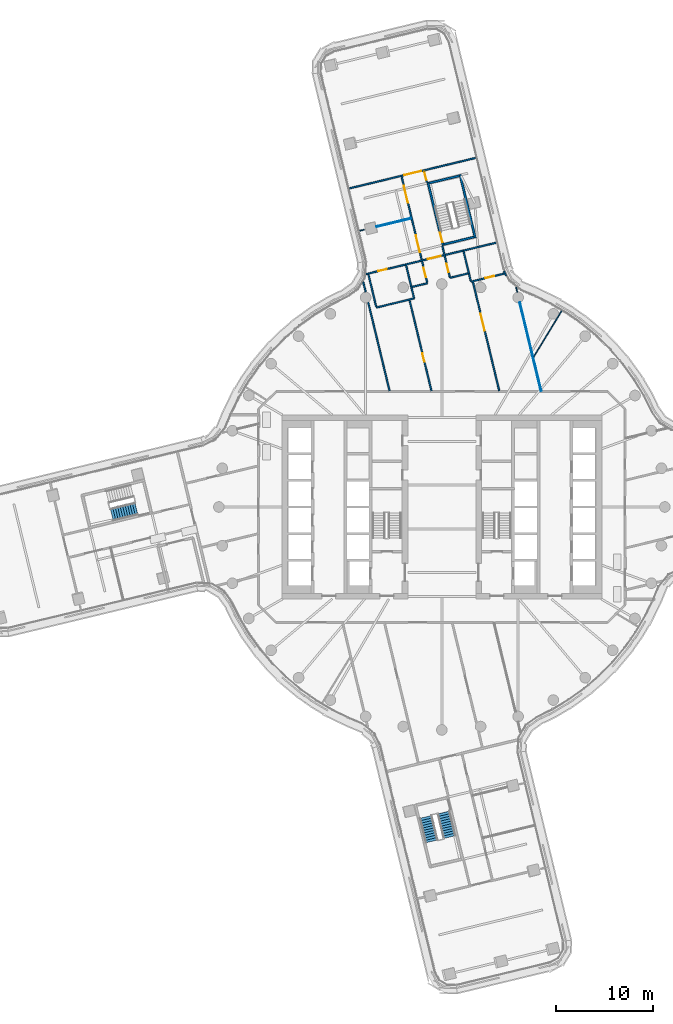
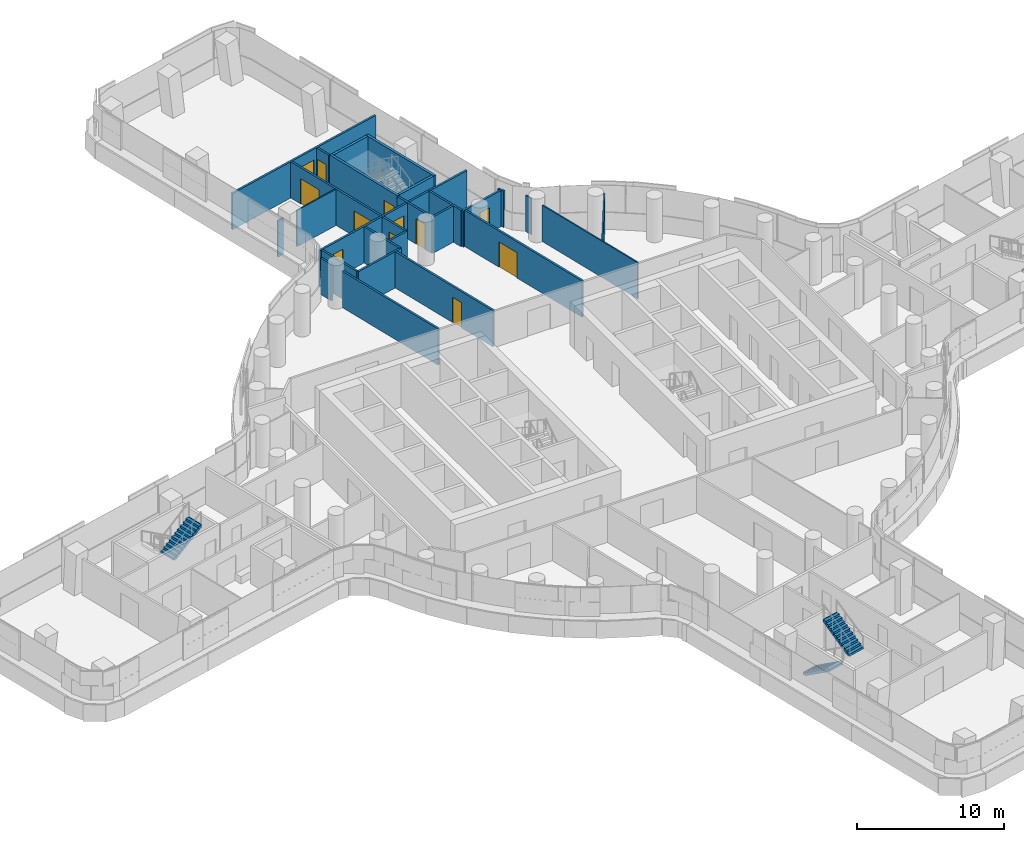
# One storey, part 23 of 33: 27 walls, 12 doors, 3 stair flights, 12 openings, 2 elements without a shape of their own.
"""IFC4 building model written with IfcOpenShell, lengths in metres."""

from ifc_helpers import new_model, si_unit, direction, frame, frame_2d, origin, place, context, subcontext, project, spatial, polyline, rectangle, outline, extrude, material, layer, layer_set, type_object, element, fill, aggregate, save


model = new_model("IFC4")

# Units and contexts
model_context = context("Model", 3, precision=1e-05, world=origin(), true_north=direction((0.0, 1.0)))
body_context = subcontext(model_context, "Body", "Model", "MODEL_VIEW")
ifc_project = project(units=[si_unit("LENGTHUNIT", "METRE"), si_unit("AREAUNIT", "SQUARE_METRE"), si_unit("VOLUMEUNIT", "CUBIC_METRE"), si_unit("PLANEANGLEUNIT", "RADIAN"), si_unit("MASSUNIT", "GRAM", prefix="KILO")], contexts=[model_context])

# Site, building, storey
site_placement = place(None, origin())
site = spatial("IfcSite", under=ifc_project, at=site_placement, CompositionType="ELEMENT")
building_placement = place(site_placement, origin())
building = spatial("IfcBuilding", under=site, at=building_placement, Name="Tamarind Cross Interchange Tower", CompositionType="ELEMENT")
storey_placement = place(building_placement, frame((0.0, 0.0, 83.5)))
storey = spatial("IfcBuildingStorey", under=building, at=storey_placement, Name="L19", CompositionType="ELEMENT", Elevation=83.5)

# Walls
ifc_material_1 = material(Name="Gypsum board partition on steel studs", Category="steel")
ifc_layer_1 = layer(ifc_material_1, 0.10009765625)
ifc_layer_set_1 = layer_set([ifc_layer_1], Name="Gypsum board partition on steel studs")
wall_type_1 = type_object("IfcWallType", Name="Partition 100 mm EI 90", PredefinedType="PARTITIONING", material=ifc_layer_set_1)
wall_1_placement = place(storey_placement, frame((7.6552734375, 22.677001953125, 0.0), z_axis=(0.0, 0.0, 1.0), x_axis=(0.234787370638, -0.972046753294, 0.0)))
element("IfcWall", 1, at=wall_1_placement, inside=storey, type_object=wall_type_1, Name="Partition L19-026", PredefinedType="PARTITIONING", context=body_context, shape_type="SweptSolid", body=[
    extrude(rectangle(XDim=0.541748046875, YDim=0.10009765625, at=frame_2d((0.27099609375, 0.0))), origin(), (0.0, 0.0, 1.0), 3.010009765625),
])
wall_2_placement = place(storey_placement, frame((8.03662109375, 21.098388671875, 0.0), z_axis=(0.0, 0.0, 1.0), x_axis=(0.234859030848, -0.97202944175, 0.0)))
element("IfcWall", 2, at=wall_2_placement, inside=storey, type_object=wall_type_1, Name="Partition L19-027", PredefinedType="PARTITIONING", context=body_context, shape_type="SweptSolid", body=[
    extrude(rectangle(XDim=9.39306640625, YDim=0.10009765625, at=frame_2d((4.696533203125, 0.0))), origin(), (0.0, 0.0, 1.0), 3.010009765625),
])
wall_3_placement = place(storey_placement, frame((-8.482666015625, 28.4892578125, 0.0), z_axis=(0.0, 0.0, 1.0), x_axis=(0.971989514636, 0.235024218834, 0.0)))
element("IfcWall", 3, at=wall_3_placement, inside=storey, type_object=wall_type_1, Name="Partition L19-054", PredefinedType="PARTITIONING", context=body_context, shape_type="SweptSolid", body=[
    extrude(rectangle(XDim=0.49755859375, YDim=0.10009765625, at=frame_2d((0.248779296875, 0.0))), origin(), (0.0, 0.0, 1.0), 3.010009765625),
])
wall_4_placement = place(storey_placement, frame((-6.740478515625, 28.910400390625, 0.0), z_axis=(0.0, 0.0, 1.0), x_axis=(0.972041726257, 0.234808182173, 0.0)))
element("IfcWall", 4, at=wall_4_placement, inside=storey, type_object=wall_type_1, Name="Partition L19-055", PredefinedType="PARTITIONING", context=body_context, shape_type="SweptSolid", body=[
    extrude(rectangle(XDim=3.653564453125, YDim=0.10009765625, at=frame_2d((1.82666015625, 0.0))), origin(), (0.0, 0.0, 1.0), 3.010009765625),
])
wall_5_placement = place(storey_placement, frame((9.46435546875, 15.48681640625, 0.0), z_axis=(0.0, 0.0, 1.0), x_axis=(0.521364250571, 0.85333423594, 0.0)))
element("IfcWall", 5, at=wall_5_placement, inside=storey, type_object=wall_type_1, Name="Partition L19-082", PredefinedType="PARTITIONING", context=body_context, shape_type="SweptSolid", body=[
    extrude(rectangle(XDim=5.527587890625, YDim=0.10009765625, at=frame_2d((2.763671875, 0.0))), origin(), (0.0, 0.0, 1.0), 3.010009765625),
])
ifc_layer_2 = layer(ifc_material_1, 0.14990234375)
ifc_layer_set_2 = layer_set([ifc_layer_2], Name="Gypsum board partition on steel studs")
wall_type_2 = type_object("IfcWallType", Name="Partition 150 mm EI 120", PredefinedType="PARTITIONING", material=ifc_layer_set_2)
wall_6_placement = place(storey_placement, frame((-8.11279296875, 23.216796875, 0.0), z_axis=(0.0, 0.0, 1.0), x_axis=(0.234891953868, -0.972021486392, 0.0)))
element("IfcWall", 6, at=wall_6_placement, inside=storey, type_object=wall_type_2, Name="Partition L19-008", PredefinedType="PARTITIONING", context=body_context, shape_type="SweptSolid", body=[
    extrude(rectangle(XDim=1.07568359375, YDim=0.14990234375, at=frame_2d((0.537841796875, 0.0))), origin(), (0.0, 0.0, 1.0), 3.010009765625),
])
wall_7_placement = place(storey_placement, frame((-7.606689453125, 21.12255859375, 0.0), z_axis=(0.0, 0.0, 1.0), x_axis=(0.234905891523, -0.97201811821, 0.0)))
element("IfcWall", 7, at=wall_7_placement, inside=storey, type_object=wall_type_2, Name="Partition L19-009", PredefinedType="PARTITIONING", context=body_context, shape_type="SweptSolid", body=[
    extrude(rectangle(XDim=9.4130859375, YDim=0.14990234375, at=frame_2d((4.70654296875, 0.0))), origin(), (0.0, 0.0, 1.0), 3.010009765625),
])
wall_8_placement = place(storey_placement, frame((-7.581298828125, 24.0, 0.0), z_axis=(0.0, 0.0, 1.0), x_axis=(0.234767373068, -0.972051583273, 0.0)))
element("IfcWall", 8, at=wall_8_placement, inside=storey, type_object=wall_type_2, Name="Partition L19-010", PredefinedType="PARTITIONING", context=body_context, shape_type="SweptSolid", body=[
    extrude(rectangle(XDim=3.449462890625, YDim=0.14990234375, at=frame_2d((1.724609375, 0.0))), origin(), (0.0, 0.0, 1.0), 3.010009765625),
])

# Wall, openings, doors
wall_9_placement = place(storey_placement, frame((-4.154296875, 34.087158203125, 0.0), z_axis=(0.0, 0.0, 1.0), x_axis=(0.234663868797, -0.972076575523, 0.0)))
wall_9 = element("IfcWall", 9, at=wall_9_placement, inside=storey, type_object=wall_type_2, Name="Partition L19-012", PredefinedType="PARTITIONING", context=body_context, shape_type="SweptSolid", body=[
    extrude(rectangle(XDim=11.249755859375, YDim=0.14990234375, at=frame_2d((5.625, 0.0))), origin(), (0.0, 0.0, 1.0), 3.010009765625),
])
opening_1_placement = place(wall_9_placement, frame((9.674560546875, 0.0, 0.0)))
opening_1 = element("IfcOpeningElement", 10, at=opening_1_placement, cuts=wall_9, Name="Opening D04", PredefinedType="OPENING", context=body_context, shape_type="SweptSolid", body=[
    extrude(rectangle(XDim=1.0, YDim=2.10009765625, at=frame_2d((0.5, 1.050048828125))), frame((0.0, 0.0849609375, 0.0), z_axis=(0.0, -1.0, 0.0), x_axis=(1.0, 0.0, 0.0)), (0.0, 0.0, 1.0), 0.169921875),
])
opening_2_placement = place(wall_9_placement, frame((0.97509765625, 0.0, 0.0)))
opening_2 = element("IfcOpeningElement", 11, at=opening_2_placement, cuts=wall_9, Name="Opening D05", PredefinedType="OPENING", context=body_context, shape_type="SweptSolid", body=[
    extrude(rectangle(XDim=1.800048828125, YDim=2.10009765625, at=frame_2d((0.89990234375, 1.050048828125))), frame((0.0, 0.0849609375, 0.0), z_axis=(0.0, -1.0, 0.0), x_axis=(1.0, 0.0, 0.0)), (0.0, 0.0, 1.0), 0.169921875),
])
opening_3_placement = place(wall_9_placement, frame((6.224609375, 0.0, 0.0)))
opening_3 = element("IfcOpeningElement", 12, at=opening_3_placement, cuts=wall_9, Name="Opening D06", PredefinedType="OPENING", context=body_context, shape_type="SweptSolid", body=[
    extrude(rectangle(XDim=1.800048828125, YDim=2.10009765625, at=frame_2d((0.89990234375, 1.050048828125))), frame((0.0, 0.0849609375, 0.0), z_axis=(0.0, -1.0, 0.0), x_axis=(1.0, 0.0, 0.0)), (0.0, 0.0, 1.0), 0.169921875),
])
ifc_material_2 = material(Name="Fire-resisting door set")
door_type_1 = type_object("IfcDoorType", Name="Interior door 1000 x 2100 FD60S", OperationType="SINGLE_SWING_LEFT", PredefinedType="DOOR", material=ifc_material_2)
door_1_placement = place(opening_1_placement, frame((1.0, 0.0, 0.0), z_axis=(0.0, 0.0, 1.0), x_axis=(-1.0, 0.0, 0.0)))
door_1 = element("IfcDoor", 13, at=door_1_placement, inside=storey, type_object=door_type_1, Name="Door D04", OperationType="SINGLE_SWING_RIGHT", OverallHeight=2.10009765625, OverallWidth=1.0, PredefinedType="DOOR", context=body_context, shape_type="SweptSolid", body=[
    extrude(rectangle(XDim=1.0, YDim=2.10009765625, at=frame_2d((0.5, 1.050048828125))), frame((0.0, 0.02490234375, 0.0), z_axis=(0.0, -1.0, 0.0), x_axis=(1.0, 0.0, 0.0)), (0.0, 0.0, 1.0), 0.050048828125),
])
fill(opening_1, door_1)
door_type_2 = type_object("IfcDoorType", Name="Interior door 1800 x 2100 FD60S", OperationType="DOUBLE_DOOR_SINGLE_SWING", PredefinedType="DOOR", material=ifc_material_2)
door_2_placement = place(opening_2_placement, frame((1.800048828125, 0.0, 0.0), z_axis=(0.0, 0.0, 1.0), x_axis=(-1.0, 0.0, 0.0)))
door_2 = element("IfcDoor", 14, at=door_2_placement, inside=storey, type_object=door_type_2, Name="Door D05", OperationType="DOUBLE_DOOR_SINGLE_SWING", OverallHeight=2.10009765625, OverallWidth=1.800048828125, PredefinedType="DOOR", context=body_context, shape_type="SweptSolid", body=[
    extrude(rectangle(XDim=1.800048828125, YDim=2.10009765625, at=frame_2d((0.89990234375, 1.050048828125))), frame((0.0, 0.02490234375, 0.0), z_axis=(0.0, -1.0, 0.0), x_axis=(1.0, 0.0, 0.0)), (0.0, 0.0, 1.0), 0.050048828125),
])
fill(opening_2, door_2)
door_3_placement = place(opening_3_placement, frame((1.800048828125, 0.0, 0.0), z_axis=(0.0, 0.0, 1.0), x_axis=(-1.0, 0.0, 0.0)))
door_3 = element("IfcDoor", 15, at=door_3_placement, inside=storey, type_object=door_type_2, Name="Door D06", OperationType="DOUBLE_DOOR_SINGLE_SWING", OverallHeight=2.10009765625, OverallWidth=1.800048828125, PredefinedType="DOOR", context=body_context, shape_type="SweptSolid", body=[
    extrude(rectangle(XDim=1.800048828125, YDim=2.10009765625, at=frame_2d((0.89990234375, 1.050048828125))), frame((0.0, 0.02490234375, 0.0), z_axis=(0.0, -1.0, 0.0), x_axis=(1.0, 0.0, 0.0)), (0.0, 0.0, 1.0), 0.050048828125),
])
fill(opening_3, door_3)

# Wall
wall_10_placement = place(storey_placement, frame((-3.693359375, 24.940185546875, 0.0), z_axis=(0.0, 0.0, 1.0), x_axis=(0.234694994682, -0.972069061061, 0.0)))
element("IfcWall", 16, at=wall_10_placement, inside=storey, type_object=wall_type_2, Name="Partition L19-013", PredefinedType="PARTITIONING", context=body_context, shape_type="SweptSolid", body=[
    extrude(rectangle(XDim=3.505615234375, YDim=0.14990234375, at=frame_2d((1.7529296875, 0.0))), origin(), (0.0, 0.0, 1.0), 3.010009765625),
])

# Wall, opening, door
wall_11_placement = place(storey_placement, frame((-3.33447265625, 21.322998046875, 0.0), z_axis=(0.0, 0.0, 1.0), x_axis=(0.234824126966, -0.972037874465, 0.0)))
wall_11 = element("IfcWall", 17, at=wall_11_placement, inside=storey, type_object=wall_type_2, Name="Partition L19-014", PredefinedType="PARTITIONING", context=body_context, shape_type="SweptSolid", body=[
    extrude(rectangle(XDim=9.619140625, YDim=0.14990234375, at=frame_2d((4.8095703125, 0.0))), origin(), (0.0, 0.0, 1.0), 3.010009765625),
])
opening_4_placement = place(wall_11_placement, frame((5.625, 0.0, 0.0)))
opening_4 = element("IfcOpeningElement", 18, at=opening_4_placement, cuts=wall_11, Name="Opening D07", PredefinedType="OPENING", context=body_context, shape_type="SweptSolid", body=[
    extrude(rectangle(XDim=0.89990234375, YDim=2.10009765625, at=frame_2d((0.449951171875, 1.050048828125))), frame((0.0, 0.0849609375, 0.0), z_axis=(0.0, -1.0, 0.0), x_axis=(1.0, 0.0, 0.0)), (0.0, 0.0, 1.0), 0.169921875),
])
door_type_3 = type_object("IfcDoorType", Name="Interior door 900 x 2100 FD60S", OperationType="SINGLE_SWING_LEFT", PredefinedType="DOOR", material=ifc_material_2)
door_4_placement = place(opening_4_placement, frame((0.89990234375, 0.0, 0.0), z_axis=(0.0, 0.0, 1.0), x_axis=(-1.0, 0.0, 0.0)))
door_4 = element("IfcDoor", 19, at=door_4_placement, inside=storey, type_object=door_type_3, Name="Door D07", OperationType="SINGLE_SWING_RIGHT", OverallHeight=2.10009765625, OverallWidth=0.89990234375, PredefinedType="DOOR", context=body_context, shape_type="SweptSolid", body=[
    extrude(rectangle(XDim=0.89990234375, YDim=2.10009765625, at=frame_2d((0.449951171875, 1.050048828125))), frame((0.0, 0.02490234375, 0.0), z_axis=(0.0, -1.0, 0.0), x_axis=(1.0, 0.0, 0.0)), (0.0, 0.0, 1.0), 0.050048828125),
])
fill(opening_4, door_4)

wall_12_placement = place(storey_placement, frame((-1.8212890625, 34.646240234375, 0.0), z_axis=(0.0, 0.0, 1.0), x_axis=(0.234836041015, -0.972034996201, 0.0)))
wall_12 = element("IfcWall", 20, at=wall_12_placement, inside=storey, type_object=wall_type_2, Name="Partition L19-015", PredefinedType="PARTITIONING", context=body_context, shape_type="SweptSolid", body=[
    extrude(rectangle(XDim=1.179931640625, YDim=0.14990234375, at=frame_2d((0.58984375, 0.0))), origin(), (0.0, 0.0, 1.0), 3.010009765625),
])
opening_5_placement = place(wall_12_placement, frame((0.070068359375, 0.0, 0.0)))
opening_5 = element("IfcOpeningElement", 21, at=opening_5_placement, cuts=wall_12, Name="Opening D08", PredefinedType="OPENING", context=body_context, shape_type="SweptSolid", body=[
    extrude(rectangle(XDim=0.89990234375, YDim=2.10009765625, at=frame_2d((0.449951171875, 1.050048828125))), frame((0.0, 0.0849609375, 0.0), z_axis=(0.0, -1.0, 0.0), x_axis=(1.0, 0.0, 0.0)), (0.0, 0.0, 1.0), 0.169921875),
])
door_5_placement = place(opening_5_placement, origin())
door_5 = element("IfcDoor", 22, at=door_5_placement, inside=storey, type_object=door_type_3, Name="Door D08", OperationType="SINGLE_SWING_RIGHT", OverallHeight=2.10009765625, OverallWidth=0.89990234375, PredefinedType="DOOR", context=body_context, shape_type="SweptSolid", body=[
    extrude(rectangle(XDim=0.89990234375, YDim=2.10009765625, at=frame_2d((0.449951171875, 1.050048828125))), frame((0.0, 0.02490234375, 0.0), z_axis=(0.0, -1.0, 0.0), x_axis=(1.0, 0.0, 0.0)), (0.0, 0.0, 1.0), 0.050048828125),
])
fill(opening_5, door_5)

wall_13_placement = place(storey_placement, frame((0.048583984375, 26.9091796875, 0.0), z_axis=(0.0, 0.0, 1.0), x_axis=(0.234903317907, -0.972018740167, 0.0)))
wall_13 = element("IfcWall", 23, at=wall_13_placement, inside=storey, type_object=wall_type_2, Name="Partition L19-016", PredefinedType="PARTITIONING", context=body_context, shape_type="SweptSolid", body=[
    extrude(rectangle(XDim=3.360107421875, YDim=0.14990234375, at=frame_2d((1.68017578125, 0.0))), origin(), (0.0, 0.0, 1.0), 3.010009765625),
])
opening_6_placement = place(wall_13_placement, frame((1.860107421875, 0.0, 0.0)))
opening_6 = element("IfcOpeningElement", 24, at=opening_6_placement, cuts=wall_13, Name="Opening D09", PredefinedType="OPENING", context=body_context, shape_type="SweptSolid", body=[
    extrude(rectangle(XDim=0.89990234375, YDim=2.10009765625, at=frame_2d((0.449951171875, 1.050048828125))), frame((0.0, 0.0849609375, 0.0), z_axis=(0.0, -1.0, 0.0), x_axis=(1.0, 0.0, 0.0)), (0.0, 0.0, 1.0), 0.169921875),
])
door_6_placement = place(opening_6_placement, origin())
door_6 = element("IfcDoor", 25, at=door_6_placement, inside=storey, type_object=door_type_3, Name="Door D09", OperationType="SINGLE_SWING_LEFT", OverallHeight=2.10009765625, OverallWidth=0.89990234375, PredefinedType="DOOR", context=body_context, shape_type="SweptSolid", body=[
    extrude(rectangle(XDim=0.89990234375, YDim=2.10009765625, at=frame_2d((0.449951171875, 1.050048828125))), frame((0.0, 0.02490234375, 0.0), z_axis=(0.0, -1.0, 0.0), x_axis=(1.0, 0.0, 0.0)), (0.0, 0.0, 1.0), 0.050048828125),
])
fill(opening_6, door_6)

# Wall
wall_14_placement = place(storey_placement, frame((2.235595703125, 26.3720703125, 0.0), z_axis=(0.0, 0.0, 1.0), x_axis=(0.234976487236, -0.972001054756, 0.0)))
element("IfcWall", 26, at=wall_14_placement, inside=storey, type_object=wall_type_2, Name="Partition L19-022", PredefinedType="PARTITIONING", context=body_context, shape_type="SweptSolid", body=[
    extrude(rectangle(XDim=3.149169921875, YDim=0.14990234375, at=frame_2d((1.57470703125, 0.0))), origin(), (0.0, 0.0, 1.0), 3.010009765625),
])

# Wall, opening, door
wall_15_placement = place(storey_placement, frame((3.20458984375, 23.212158203125, 0.0), z_axis=(0.0, 0.0, 1.0), x_axis=(0.234877197839, -0.972025052113, 0.0)))
wall_15 = element("IfcWall", 27, at=wall_15_placement, inside=storey, type_object=wall_type_2, Name="Partition L19-023", PredefinedType="PARTITIONING", context=body_context, shape_type="SweptSolid", body=[
    extrude(rectangle(XDim=11.562744140625, YDim=0.14990234375, at=frame_2d((5.78125, 0.0))), origin(), (0.0, 0.0, 1.0), 3.010009765625),
])
opening_7_placement = place(wall_15_placement, frame((3.375, 0.0, 0.0)))
opening_7 = element("IfcOpeningElement", 28, at=opening_7_placement, cuts=wall_15, Name="Opening D15", PredefinedType="OPENING", context=body_context, shape_type="SweptSolid", body=[
    extrude(rectangle(XDim=1.800048828125, YDim=2.10009765625, at=frame_2d((0.89990234375, 1.050048828125))), frame((0.0, 0.0849609375, 0.0), z_axis=(0.0, -1.0, 0.0), x_axis=(1.0, 0.0, 0.0)), (0.0, 0.0, 1.0), 0.169921875),
])
door_7_placement = place(opening_7_placement, origin())
door_7 = element("IfcDoor", 29, at=door_7_placement, inside=storey, type_object=door_type_2, Name="Door D15", OperationType="DOUBLE_DOOR_SINGLE_SWING", OverallHeight=2.10009765625, OverallWidth=1.800048828125, PredefinedType="DOOR", context=body_context, shape_type="SweptSolid", body=[
    extrude(rectangle(XDim=1.800048828125, YDim=2.10009765625, at=frame_2d((0.89990234375, 1.050048828125))), frame((0.0, 0.02490234375, 0.0), z_axis=(0.0, -1.0, 0.0), x_axis=(1.0, 0.0, 0.0)), (0.0, 0.0, 1.0), 0.050048828125),
])
fill(opening_7, door_7)

wall_16_placement = place(storey_placement, frame((-9.53369140625, 32.865234375, 0.0), z_axis=(0.0, 0.0, 1.0), x_axis=(0.972062737712, 0.234721183432, 0.0)))
wall_16 = element("IfcWall", 30, at=wall_16_placement, inside=storey, type_object=wall_type_2, Name="Partition L19-053", PredefinedType="PARTITIONING", context=body_context, shape_type="SweptSolid", body=[
    extrude(rectangle(XDim=13.41455078125, YDim=0.14990234375, at=frame_2d((6.707275390625, 0.0))), origin(), (0.0, 0.0, 1.0), 3.010009765625),
])
opening_8_placement = place(wall_16_placement, frame((5.81591796875, 0.0, 0.0)))
opening_8 = element("IfcOpeningElement", 31, at=opening_8_placement, cuts=wall_16, Name="Opening D28", PredefinedType="OPENING", context=body_context, shape_type="SweptSolid", body=[
    extrude(rectangle(XDim=1.800048828125, YDim=2.10009765625, at=frame_2d((0.89990234375, 1.050048828125))), frame((0.0, 0.0849609375, 0.0), z_axis=(0.0, -1.0, 0.0), x_axis=(1.0, 0.0, 0.0)), (0.0, 0.0, 1.0), 0.169921875),
])
door_8_placement = place(opening_8_placement, origin())
door_8 = element("IfcDoor", 32, at=door_8_placement, inside=storey, type_object=door_type_2, Name="Door D28", OperationType="DOUBLE_DOOR_SINGLE_SWING", OverallHeight=2.10009765625, OverallWidth=1.800048828125, PredefinedType="DOOR", context=body_context, shape_type="SweptSolid", body=[
    extrude(rectangle(XDim=1.800048828125, YDim=2.10009765625, at=frame_2d((0.89990234375, 1.050048828125))), frame((0.0, 0.02490234375, 0.0), z_axis=(0.0, -1.0, 0.0), x_axis=(1.0, 0.0, 0.0)), (0.0, 0.0, 1.0), 0.050048828125),
])
fill(opening_8, door_8)

# Wall, openings, doors
wall_17_placement = place(storey_placement, frame((-7.800537109375, 24.024169921875, 0.0), z_axis=(0.0, 0.0, 1.0), x_axis=(0.971817225791, 0.23573561389, 0.0)))
wall_17 = element("IfcWall", 33, at=wall_17_placement, inside=storey, type_object=wall_type_2, Name="Partition L19-056", PredefinedType="PARTITIONING", context=body_context, shape_type="SweptSolid", body=[
    extrude(rectangle(XDim=10.306884765625, YDim=0.14990234375, at=frame_2d((5.1533203125, 0.0))), origin(), (0.0, 0.0, 1.0), 3.010009765625),
])
opening_9_placement = place(wall_17_placement, frame((6.5068359375, 0.0, 0.0)))
opening_9 = element("IfcOpeningElement", 34, at=opening_9_placement, cuts=wall_17, Name="Opening D29", PredefinedType="OPENING", context=body_context, shape_type="SweptSolid", body=[
    extrude(rectangle(XDim=1.39990234375, YDim=2.10009765625, at=frame_2d((0.699951171875, 1.050048828125))), frame((0.0, 0.0849609375, 0.0), z_axis=(0.0, -1.0, 0.0), x_axis=(1.0, 0.0, 0.0)), (0.0, 0.0, 1.0), 0.169921875),
])
opening_10_placement = place(wall_17_placement, frame((1.25732421875, 0.0, 0.0)))
opening_10 = element("IfcOpeningElement", 35, at=opening_10_placement, cuts=wall_17, Name="Opening D30", PredefinedType="OPENING", context=body_context, shape_type="SweptSolid", body=[
    extrude(rectangle(XDim=0.89990234375, YDim=2.10009765625, at=frame_2d((0.449951171875, 1.050048828125))), frame((0.0, 0.0849609375, 0.0), z_axis=(0.0, -1.0, 0.0), x_axis=(1.0, 0.0, 0.0)), (0.0, 0.0, 1.0), 0.169921875),
])
door_type_4 = type_object("IfcDoorType", Name="Interior door 1400 x 2100 FD60S", OperationType="DOUBLE_DOOR_SINGLE_SWING", PredefinedType="DOOR", material=ifc_material_2)
door_9_placement = place(opening_9_placement, frame((1.39990234375, 0.0, 0.0), z_axis=(0.0, 0.0, 1.0), x_axis=(-1.0, 0.0, 0.0)))
door_9 = element("IfcDoor", 36, at=door_9_placement, inside=storey, type_object=door_type_4, Name="Door D29", OperationType="DOUBLE_DOOR_SINGLE_SWING", OverallHeight=2.10009765625, OverallWidth=1.39990234375, PredefinedType="DOOR", context=body_context, shape_type="SweptSolid", body=[
    extrude(rectangle(XDim=1.39990234375, YDim=2.10009765625, at=frame_2d((0.699951171875, 1.050048828125))), frame((0.0, 0.02490234375, 0.0), z_axis=(0.0, -1.0, 0.0), x_axis=(1.0, 0.0, 0.0)), (0.0, 0.0, 1.0), 0.050048828125),
])
fill(opening_9, door_9)
door_10_placement = place(opening_10_placement, frame((0.89990234375, 0.0, 0.0), z_axis=(0.0, 0.0, 1.0), x_axis=(-1.0, 0.0, 0.0)))
door_10 = element("IfcDoor", 37, at=door_10_placement, inside=storey, type_object=door_type_3, Name="Door D30", OperationType="SINGLE_SWING_LEFT", OverallHeight=2.10009765625, OverallWidth=0.89990234375, PredefinedType="DOOR", context=body_context, shape_type="SweptSolid", body=[
    extrude(rectangle(XDim=0.89990234375, YDim=2.10009765625, at=frame_2d((0.449951171875, 1.050048828125))), frame((0.0, 0.02490234375, 0.0), z_axis=(0.0, -1.0, 0.0), x_axis=(1.0, 0.0, 0.0)), (0.0, 0.0, 1.0), 0.050048828125),
])
fill(opening_10, door_10)

# Walls
wall_18_placement = place(storey_placement, frame((-6.75390625, 20.573974609375, 0.0), z_axis=(0.0, 0.0, 1.0), x_axis=(0.972022644811, 0.234887160088, 0.0)))
element("IfcWall", 38, at=wall_18_placement, inside=storey, type_object=wall_type_2, Name="Partition L19-057", PredefinedType="PARTITIONING", context=body_context, shape_type="SweptSolid", body=[
    extrude(rectangle(XDim=3.99951171875, YDim=0.14990234375, at=frame_2d((1.999755859375, 0.0))), origin(), (0.0, 0.0, 1.0), 3.010009765625),
])
wall_19_placement = place(storey_placement, frame((-3.0703125, 22.69873046875, 0.0), z_axis=(0.0, 0.0, 1.0), x_axis=(0.972060875108, 0.234728896996, 0.0)))
element("IfcWall", 39, at=wall_19_placement, inside=storey, type_object=wall_type_2, Name="Partition L19-059", PredefinedType="PARTITIONING", context=body_context, shape_type="SweptSolid", body=[
    extrude(rectangle(XDim=1.620361328125, YDim=0.14990234375, at=frame_2d((0.81005859375, 0.0))), origin(), (0.0, 0.0, 1.0), 3.010009765625),
])
wall_20_placement = place(storey_placement, frame((0.838134765625, 23.64208984375, 0.0), z_axis=(0.0, 0.0, 1.0), x_axis=(0.972080213346, 0.23464879889, 0.0)))
element("IfcWall", 40, at=wall_20_placement, inside=storey, type_object=wall_type_2, Name="Partition L19-060", PredefinedType="PARTITIONING", context=body_context, shape_type="SweptSolid", body=[
    extrude(rectangle(XDim=1.9248046875, YDim=0.14990234375, at=frame_2d((0.96240234375, 0.0))), origin(), (0.0, 0.0, 1.0), 3.010009765625),
])
wall_21_placement = place(storey_placement, frame((2.218017578125, 26.445068359375, 0.0), z_axis=(0.0, 0.0, 1.0), x_axis=(0.972032799432, 0.234845133713, 0.0)))
element("IfcWall", 41, at=wall_21_placement, inside=storey, type_object=wall_type_2, Name="Partition L19-064", PredefinedType="PARTITIONING", context=body_context, shape_type="SweptSolid", body=[
    extrude(rectangle(XDim=3.499267578125, YDim=0.14990234375, at=frame_2d((1.74951171875, 0.0))), origin(), (0.0, 0.0, 1.0), 3.010009765625),
])

# Wall, opening, door
wall_22_placement = place(storey_placement, frame((2.992919921875, 23.238037109375, 0.0), z_axis=(0.0, 0.0, 1.0), x_axis=(0.97188322225, 0.235463377852, 0.0)))
wall_22 = element("IfcWall", 42, at=wall_22_placement, inside=storey, type_object=wall_type_2, Name="Partition L19-065", PredefinedType="PARTITIONING", context=body_context, shape_type="SweptSolid", body=[
    extrude(rectangle(XDim=3.5283203125, YDim=0.14990234375, at=frame_2d((1.76416015625, 0.0))), origin(), (0.0, 0.0, 1.0), 3.010009765625),
])
opening_11_placement = place(wall_22_placement, frame((1.549560546875, 0.0, 0.0)))
opening_11 = element("IfcOpeningElement", 43, at=opening_11_placement, cuts=wall_22, Name="Opening D33", PredefinedType="OPENING", context=body_context, shape_type="SweptSolid", body=[
    extrude(rectangle(XDim=0.89990234375, YDim=2.10009765625, at=frame_2d((0.449951171875, 1.050048828125))), frame((0.0, 0.0849609375, 0.0), z_axis=(0.0, -1.0, 0.0), x_axis=(1.0, 0.0, 0.0)), (0.0, 0.0, 1.0), 0.169921875),
])
door_11_placement = place(opening_11_placement, origin())
door_11 = element("IfcDoor", 44, at=door_11_placement, inside=storey, type_object=door_type_3, Name="Door D33", OperationType="SINGLE_SWING_LEFT", OverallHeight=2.10009765625, OverallWidth=0.89990234375, PredefinedType="DOOR", context=body_context, shape_type="SweptSolid", body=[
    extrude(rectangle(XDim=0.89990234375, YDim=2.10009765625, at=frame_2d((0.449951171875, 1.050048828125))), frame((0.0, 0.02490234375, 0.0), z_axis=(0.0, -1.0, 0.0), x_axis=(1.0, 0.0, 0.0)), (0.0, 0.0, 1.0), 0.050048828125),
])
fill(opening_11, door_11)

# Wall
wall_23_placement = place(storey_placement, frame((6.61474609375, 23.8642578125, 0.0), z_axis=(0.0, 0.0, 1.0), x_axis=(-0.439971932477, 0.898011524777, 0.0)))
element("IfcWall", 45, at=wall_23_placement, inside=storey, type_object=wall_type_2, Name="Partition L19-087", PredefinedType="PARTITIONING", context=body_context, shape_type="SweptSolid", body=[
    extrude(rectangle(XDim=0.5, YDim=0.14990234375, at=frame_2d((0.25, 0.0))), origin(), (0.0, 0.0, 1.0), 3.010009765625),
])

# Wall, opening, door
ifc_material_3 = material(Name="Concrete C40", Category="concrete")
ifc_layer_3 = layer(ifc_material_3, 0.199951171875)
ifc_layer_set_3 = layer_set([ifc_layer_3], Name="Concrete C40")
wall_type_3 = type_object("IfcWallType", Name="Stair shaft wall 200 mm Concrete C40", PredefinedType="SHEAR", material=ifc_layer_set_3)
wall_24_placement = place(storey_placement, frame((0.136474609375, 26.97119140625, -0.139892578125), z_axis=(0.0, 0.0, 1.0), x_axis=(-0.234854252766, 0.972030596204, 0.0)))
wall_24 = element("IfcWall", 46, at=wall_24_placement, inside=storey, type_object=wall_type_3, Name="Core wall CWL-L19-ST4-H", PredefinedType="SHEAR", context=body_context, shape_type="SweptSolid", body=[
    extrude(rectangle(XDim=6.699951171875, YDim=0.199951171875, at=frame_2d((3.35009765625, 0.0))), origin(), (0.0, 0.0, 1.0), 3.14990234375),
])
opening_12_placement = place(wall_24_placement, frame((0.35009765625, 0.0, 0.0)))
opening_12 = element("IfcOpeningElement", 47, at=opening_12_placement, cuts=wall_24, Name="Opening ST4L19", PredefinedType="OPENING", context=body_context, shape_type="SweptSolid", body=[
    extrude(rectangle(XDim=1.0, YDim=2.10009765625, at=frame_2d((0.5, 1.050048828125))), frame((0.0, 0.10986328125, 0.0), z_axis=(0.0, -1.0, 0.0), x_axis=(1.0, 0.0, 0.0)), (0.0, 0.0, 1.0), 0.219970703125),
])
ifc_material_4 = material(Name="Steel, fire-resisting", Category="steel")
door_type_5 = type_object("IfcDoorType", Name="Core fire door 1000 x 2100 FD90", OperationType="SINGLE_SWING_LEFT", PredefinedType="DOOR", material=ifc_material_4)
door_12_placement = place(opening_12_placement, origin())
door_12 = element("IfcDoor", 48, at=door_12_placement, inside=storey, type_object=door_type_5, Name="L19 stair door ST4", OperationType="SINGLE_SWING_LEFT", OverallHeight=2.10009765625, OverallWidth=1.0, PredefinedType="DOOR", context=body_context, shape_type="SweptSolid", body=[
    extrude(rectangle(XDim=1.0, YDim=2.10009765625, at=frame_2d((0.5, 1.050048828125))), frame((0.0, 0.02490234375, 0.0), z_axis=(0.0, -1.0, 0.0), x_axis=(1.0, 0.0, 0.0)), (0.0, 0.0, 1.0), 0.050048828125),
])
fill(opening_12, door_12)

# Walls
wall_25_placement = place(storey_placement, frame((3.44140625, 27.76953125, -0.139892578125), z_axis=(0.0, 0.0, 1.0), x_axis=(-0.234854252766, 0.972030596204, 0.0)))
element("IfcWall", 49, at=wall_25_placement, inside=storey, type_object=wall_type_3, Name="Core wall CWL-L19-ST4-C", PredefinedType="SHEAR", context=body_context, shape_type="SweptSolid", body=[
    extrude(rectangle(XDim=6.699951171875, YDim=0.199951171875, at=frame_2d((3.35009765625, 0.0))), origin(), (0.0, 0.0, 1.0), 3.14990234375),
])
wall_26_placement = place(storey_placement, frame((3.320556640625, 27.84326171875, -0.139892578125), z_axis=(0.0, 0.0, 1.0), x_axis=(-0.972032979453, -0.234844388599, 0.0)))
element("IfcWall", 50, at=wall_26_placement, inside=storey, type_object=wall_type_3, Name="Core wall CWL-L19-ST4-CE", PredefinedType="SHEAR", context=body_context, shape_type="SweptSolid", body=[
    extrude(rectangle(XDim=3.199951171875, YDim=0.199951171875, at=frame_2d((1.60009765625, 0.0))), origin(), (0.0, 0.0, 1.0), 3.14990234375),
])
wall_27_placement = place(storey_placement, frame((0.0, 0.0, -0.139892578125)))
element("IfcWall", 51, at=wall_27_placement, inside=storey, type_object=wall_type_3, Name="Core wall CWL-L19-ST4-CF", PredefinedType="SHEAR", context=body_context, shape_type="SweptSolid", body=[
    extrude(outline(polyline([(1.817626953125, 34.064208984375), (1.770751953125, 34.2587890625), (-1.33984375, 33.507080078125), (-1.29296875, 33.312744140625), (1.817626953125, 34.064208984375)])), origin(), (0.0, 0.0, 1.0), 3.14990234375),
])

# Stair, stair flight
ifc_material_5 = material(Name="Exit stair")
stair_type = type_object("IfcStairType", Name="Exit stair", PredefinedType="HALF_TURN_STAIR", material=ifc_material_5)
stair_1_placement = place(storey_placement, origin())
stair_1 = element("IfcStair", 52, at=stair_1_placement, inside=storey, type_object=stair_type, Name="L19 exit stair ST5", PredefinedType="HALF_TURN_STAIR")
ifc_material_6 = material(Name="Exit stair flight")
stair_flight_type = type_object("IfcStairFlightType", Name="Exit stair flight", PredefinedType="STRAIGHT", material=ifc_material_6)
stair_flight_1_placement = place(storey_placement, frame((-34.048583984375, -0.802001953125, 1.875), z_axis=(0.0, 0.0, 1.0), x_axis=(0.972033185193, 0.234843537027, 0.0)))
stair_flight_1 = element("IfcStairFlight", 53, at=stair_flight_1_placement, type_object=stair_flight_type, Name="ST5 flight 2", NumberOfRisers=11, NumberOfTreads=10, PredefinedType="STRAIGHT", RiserHeight=0.170454545, TreadLength=0.26, context=body_context, shape_type="SweptSolid", body=[
    extrude(outline(polyline([(0.0, 0.0), (0.0, 0.17041015625), (0.260009765625, 0.17041015625), (0.260009765625, 0.3408203125), (0.52001953125, 0.3408203125), (0.52001953125, 0.511474609375), (0.780029296875, 0.511474609375), (0.780029296875, 0.681884765625), (1.0400390625, 0.681884765625), (1.0400390625, 0.852294921875), (1.300048828125, 0.852294921875), (1.300048828125, 1.022705078125), (1.56005859375, 1.022705078125), (1.56005859375, 1.193115234375), (1.820068359375, 1.193115234375), (1.820068359375, 1.363525390625), (2.080078125, 1.363525390625), (2.080078125, 1.5341796875), (2.340087890625, 1.5341796875), (2.340087890625, 1.70458984375), (2.60009765625, 1.70458984375), (2.60009765625, 1.7548828125), (2.612060546875, 1.7548828125), (2.612060546875, 1.533203125), (0.2734375, 0.0), (0.0, 0.0)])), frame((0.0, 0.64990234375, 0.0), z_axis=(0.0, -1.0, 0.0), x_axis=(1.0, 0.0, 0.0)), (0.0, 0.0, 1.0), 1.300048828125),
])
aggregate(stair_1, [stair_flight_1])

# Stair, stair flights
stair_2_placement = place(storey_placement, origin())
stair_2 = element("IfcStair", 54, at=stair_2_placement, inside=storey, type_object=stair_type, Name="L19 exit stair ST6", PredefinedType="HALF_TURN_STAIR")
stair_flight_2_placement = place(storey_placement, frame((-1.655517578125, -31.967529296875, 0.0), z_axis=(0.0, 0.0, 1.0), x_axis=(0.234843537027, -0.972033185193, 0.0)))
stair_flight_2 = element("IfcStairFlight", 55, at=stair_flight_2_placement, type_object=stair_flight_type, Name="ST6 flight 1", NumberOfRisers=11, NumberOfTreads=10, PredefinedType="STRAIGHT", RiserHeight=0.170454545, TreadLength=0.26, context=body_context, shape_type="SweptSolid", body=[
    extrude(outline(polyline([(0.0, 0.0), (0.0, 0.17041015625), (0.260009765625, 0.17041015625), (0.260009765625, 0.3408203125), (0.52001953125, 0.3408203125), (0.52001953125, 0.511474609375), (0.780029296875, 0.511474609375), (0.780029296875, 0.681884765625), (1.0400390625, 0.681884765625), (1.0400390625, 0.852294921875), (1.300048828125, 0.852294921875), (1.300048828125, 1.022705078125), (1.56005859375, 1.022705078125), (1.56005859375, 1.193115234375), (1.820068359375, 1.193115234375), (1.820068359375, 1.363525390625), (2.080078125, 1.363525390625), (2.080078125, 1.5341796875), (2.340087890625, 1.5341796875), (2.340087890625, 1.70458984375), (2.60009765625, 1.70458984375), (2.60009765625, 1.875), (2.60009765625, 1.525390625), (0.2734375, 0.0), (0.0, 0.0)])), frame((0.0, 0.64990234375, 0.0), z_axis=(0.0, -1.0, 0.0), x_axis=(1.0, 0.0, 0.0)), (0.0, 0.0, 1.0), 1.300048828125),
])
stair_flight_3_placement = place(storey_placement, frame((0.802001953125, -34.048583984375, 1.875), z_axis=(0.0, 0.0, 1.0), x_axis=(-0.234843537027, 0.972033185193, 0.0)))
stair_flight_3 = element("IfcStairFlight", 56, at=stair_flight_3_placement, type_object=stair_flight_type, Name="ST6 flight 2", NumberOfRisers=11, NumberOfTreads=10, PredefinedType="STRAIGHT", RiserHeight=0.170454545, TreadLength=0.26, context=body_context, shape_type="SweptSolid", body=[
    extrude(outline(polyline([(0.0, 0.0), (0.0, 0.17041015625), (0.260009765625, 0.17041015625), (0.260009765625, 0.3408203125), (0.52001953125, 0.3408203125), (0.52001953125, 0.511474609375), (0.780029296875, 0.511474609375), (0.780029296875, 0.681884765625), (1.0400390625, 0.681884765625), (1.0400390625, 0.852294921875), (1.300048828125, 0.852294921875), (1.300048828125, 1.022705078125), (1.56005859375, 1.022705078125), (1.56005859375, 1.193115234375), (1.820068359375, 1.193115234375), (1.820068359375, 1.363525390625), (2.080078125, 1.363525390625), (2.080078125, 1.5341796875), (2.340087890625, 1.5341796875), (2.340087890625, 1.70458984375), (2.60009765625, 1.70458984375), (2.60009765625, 1.7548828125), (2.612060546875, 1.7548828125), (2.612060546875, 1.533203125), (0.2734375, 0.0), (0.0, 0.0)])), frame((0.0, 0.64990234375, 0.0), z_axis=(0.0, -1.0, 0.0), x_axis=(1.0, 0.0, 0.0)), (0.0, 0.0, 1.0), 1.300048828125),
])
aggregate(stair_2, [stair_flight_2, stair_flight_3])

save(model, "model.ifc")
